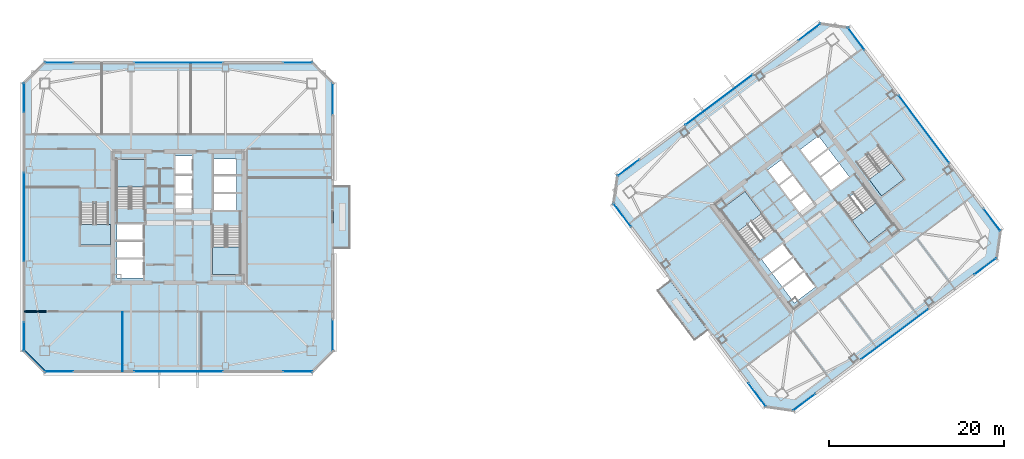
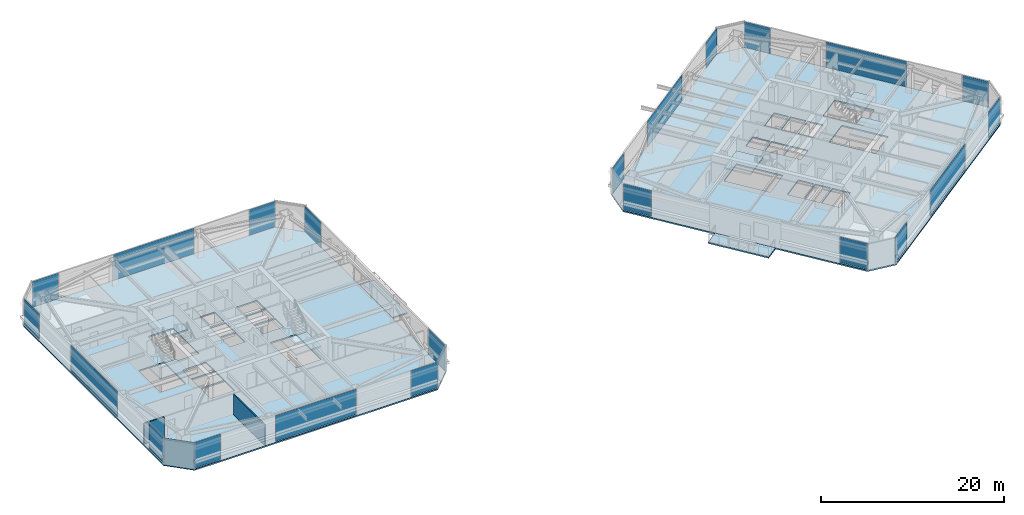
# One storey, part 30 of 41: 22 plates, 10 slabs, 3 walls, 28 elements without a shape of their own.
"""IFC4 building model written with IfcOpenShell, lengths in metres."""

from ifc_helpers import new_model, si_unit, direction, frame, frame_2d, origin, origin_2d, place, context, subcontext, project, spatial, polyline, rectangle, outline, extrude, material, layer, layer_set, type_object, element, aggregate, save


model = new_model("IFC4")

# Units and contexts
model_context = context("Model", 3, precision=1e-05, world=origin(), true_north=direction((0.0, 1.0)))
body_context = subcontext(model_context, "Body", "Model", "MODEL_VIEW")
ifc_project = project(units=[si_unit("LENGTHUNIT", "METRE"), si_unit("AREAUNIT", "SQUARE_METRE"), si_unit("VOLUMEUNIT", "CUBIC_METRE"), si_unit("PLANEANGLEUNIT", "RADIAN"), si_unit("MASSUNIT", "GRAM", prefix="KILO")], contexts=[model_context])

# Site, building, storey
site_placement = place(None, origin())
site = spatial("IfcSite", under=ifc_project, at=site_placement, CompositionType="ELEMENT")
building_placement = place(site_placement, origin())
building = spatial("IfcBuilding", under=site, at=building_placement, Name="Tashvorn Skyway Center", CompositionType="ELEMENT")
storey_placement = place(building_placement, frame((0.0, 0.0, 174.75)))
storey = spatial("IfcBuildingStorey", under=building, at=storey_placement, Name="L47", CompositionType="ELEMENT", Elevation=174.75)

# Curtain wall, plate
ifc_material_1 = material(Name="Thermally broken bronze-anodized aluminium 6063-T6", Category="aluminium")
curtain_wall_type = type_object("IfcCurtainWallType", Name="CW-CW-Z4", PredefinedType="NOTDEFINED", material=ifc_material_1)
curtain_wall_1_placement = place(storey_placement, origin())
curtain_wall_1 = element("IfcCurtainWall", 1, at=curtain_wall_1_placement, inside=storey, type_object=curtain_wall_type, Name="Tower 1 L47 South Unitised Curtain Wall Glazing Group 1", PredefinedType="NOTDEFINED")
ifc_material_2 = material(Name="Low-E solar-control double insulating safety glass", Category="glass")
ifc_layer_1 = layer(ifc_material_2, 0.035888671875)
ifc_layer_set_1 = layer_set([ifc_layer_1], Name="Low-E solar-control double insulating safety glass")
plate_type = type_object("IfcPlateType", Name="CWP-CW-Z4", PredefinedType="CURTAIN_PANEL", material=ifc_layer_set_1)
plate_1_placement = place(storey_placement, frame((55.671142578125, 14.320068359375, 0.06982421875), z_axis=(0.0, 0.0, 1.0), x_axis=(-1.0, 0.0, 0.0)))
plate_1 = element("IfcPlate", 2, at=plate_1_placement, type_object=plate_type, Name="CW-Z4 panel 1.1", PredefinedType="CURTAIN_PANEL", context=body_context, shape_type="SweptSolid", body=[
    extrude(rectangle(XDim=3.27783203125, YDim=0.035888671875, at=origin_2d()), origin(), (0.0, 0.0, 1.0), 3.409912109375),
])
aggregate(curtain_wall_1, [plate_1])

curtain_wall_2_placement = place(storey_placement, origin())
curtain_wall_2 = element("IfcCurtainWall", 3, at=curtain_wall_2_placement, inside=storey, type_object=curtain_wall_type, Name="Tower 1 L47 South Unitised Curtain Wall Glazing Group 2", PredefinedType="NOTDEFINED")
plate_2_placement = place(storey_placement, frame((42.0, 14.320068359375, 0.06982421875), z_axis=(0.0, 0.0, 1.0), x_axis=(-1.0, 0.0, 0.0)))
plate_2 = element("IfcPlate", 4, at=plate_2_placement, type_object=plate_type, Name="CW-Z4 panel 1.1", PredefinedType="CURTAIN_PANEL", context=body_context, shape_type="SweptSolid", body=[
    extrude(rectangle(XDim=10.11328125, YDim=0.035888671875, at=origin_2d()), origin(), (0.0, 0.0, 1.0), 3.409912109375),
])
aggregate(curtain_wall_2, [plate_2])

curtain_wall_3_placement = place(storey_placement, origin())
curtain_wall_3 = element("IfcCurtainWall", 5, at=curtain_wall_3_placement, inside=storey, type_object=curtain_wall_type, Name="Tower 1 L47 South Unitised Curtain Wall Glazing Group 3", PredefinedType="NOTDEFINED")
plate_3_placement = place(storey_placement, frame((28.328857421875, 14.320068359375, 0.06982421875), z_axis=(0.0, 0.0, 1.0), x_axis=(-1.0, 0.0, 0.0)))
plate_3 = element("IfcPlate", 6, at=plate_3_placement, type_object=plate_type, Name="CW-Z4 panel 1.1", PredefinedType="CURTAIN_PANEL", context=body_context, shape_type="SweptSolid", body=[
    extrude(rectangle(XDim=3.27783203125, YDim=0.035888671875, at=origin_2d()), origin(), (0.0, 0.0, 1.0), 3.409912109375),
])
aggregate(curtain_wall_3, [plate_3])

curtain_wall_4_placement = place(storey_placement, origin())
curtain_wall_4 = element("IfcCurtainWall", 7, at=curtain_wall_4_placement, inside=storey, type_object=curtain_wall_type, Name="Tower 1 L47 West Unitised Curtain Wall Glazing Group 1", PredefinedType="NOTDEFINED")
plate_4_placement = place(storey_placement, frame((24.320068359375, 18.328857421875, 0.06982421875), z_axis=(0.0, 0.0, 1.0), x_axis=(0.0, 1.0, 0.0)))
plate_4 = element("IfcPlate", 8, at=plate_4_placement, type_object=plate_type, Name="CW-Z4 panel 1.1", PredefinedType="CURTAIN_PANEL", context=body_context, shape_type="SweptSolid", body=[
    extrude(rectangle(XDim=3.27783203125, YDim=0.035888671875, at=origin_2d()), origin(), (0.0, 0.0, 1.0), 3.409912109375),
])
aggregate(curtain_wall_4, [plate_4])

curtain_wall_5_placement = place(storey_placement, origin())
curtain_wall_5 = element("IfcCurtainWall", 9, at=curtain_wall_5_placement, inside=storey, type_object=curtain_wall_type, Name="Tower 1 L47 West Unitised Curtain Wall Glazing Group 2", PredefinedType="NOTDEFINED")
plate_5_placement = place(storey_placement, frame((24.320068359375, 32.0, 0.06982421875), z_axis=(0.0, 0.0, 1.0), x_axis=(0.0, 1.0, 0.0)))
plate_5 = element("IfcPlate", 10, at=plate_5_placement, type_object=plate_type, Name="CW-Z4 panel 1.1", PredefinedType="CURTAIN_PANEL", context=body_context, shape_type="SweptSolid", body=[
    extrude(rectangle(XDim=10.11328125, YDim=0.035888671875, at=origin_2d()), origin(), (0.0, 0.0, 1.0), 3.409912109375),
])
aggregate(curtain_wall_5, [plate_5])

curtain_wall_6_placement = place(storey_placement, origin())
curtain_wall_6 = element("IfcCurtainWall", 11, at=curtain_wall_6_placement, inside=storey, type_object=curtain_wall_type, Name="Tower 1 L47 West Unitised Curtain Wall Glazing Group 3", PredefinedType="NOTDEFINED")
plate_6_placement = place(storey_placement, frame((24.320068359375, 45.671142578125, 0.06982421875), z_axis=(0.0, 0.0, 1.0), x_axis=(0.0, 1.0, 0.0)))
plate_6 = element("IfcPlate", 12, at=plate_6_placement, type_object=plate_type, Name="CW-Z4 panel 1.1", PredefinedType="CURTAIN_PANEL", context=body_context, shape_type="SweptSolid", body=[
    extrude(rectangle(XDim=3.27783203125, YDim=0.035888671875, at=origin_2d()), origin(), (0.0, 0.0, 1.0), 3.409912109375),
])
aggregate(curtain_wall_6, [plate_6])

curtain_wall_7_placement = place(storey_placement, origin())
curtain_wall_7 = element("IfcCurtainWall", 13, at=curtain_wall_7_placement, inside=storey, type_object=curtain_wall_type, Name="Tower 1 L47 North Unitised Curtain Wall Glazing Group 1", PredefinedType="NOTDEFINED")
plate_7_placement = place(storey_placement, frame((28.328857421875, 49.679931640625, 0.06982421875), z_axis=(0.0, 0.0, 1.0), x_axis=(1.0, 0.0, 0.0)))
plate_7 = element("IfcPlate", 14, at=plate_7_placement, type_object=plate_type, Name="CW-Z4 panel 1.1", PredefinedType="CURTAIN_PANEL", context=body_context, shape_type="SweptSolid", body=[
    extrude(rectangle(XDim=3.27783203125, YDim=0.035888671875, at=origin_2d()), origin(), (0.0, 0.0, 1.0), 3.409912109375),
])
aggregate(curtain_wall_7, [plate_7])

curtain_wall_8_placement = place(storey_placement, origin())
curtain_wall_8 = element("IfcCurtainWall", 15, at=curtain_wall_8_placement, inside=storey, type_object=curtain_wall_type, Name="Tower 1 L47 North Unitised Curtain Wall Glazing Group 2", PredefinedType="NOTDEFINED")
plate_8_placement = place(storey_placement, frame((42.0, 49.679931640625, 0.06982421875), z_axis=(0.0, 0.0, 1.0), x_axis=(1.0, 0.0, 0.0)))
plate_8 = element("IfcPlate", 16, at=plate_8_placement, type_object=plate_type, Name="CW-Z4 panel 1.1", PredefinedType="CURTAIN_PANEL", context=body_context, shape_type="SweptSolid", body=[
    extrude(rectangle(XDim=10.11328125, YDim=0.035888671875, at=origin_2d()), origin(), (0.0, 0.0, 1.0), 3.409912109375),
])
aggregate(curtain_wall_8, [plate_8])

curtain_wall_9_placement = place(storey_placement, origin())
curtain_wall_9 = element("IfcCurtainWall", 17, at=curtain_wall_9_placement, inside=storey, type_object=curtain_wall_type, Name="Tower 1 L47 North Unitised Curtain Wall Glazing Group 3", PredefinedType="NOTDEFINED")
plate_9_placement = place(storey_placement, frame((55.671142578125, 49.679931640625, 0.06982421875), z_axis=(0.0, 0.0, 1.0), x_axis=(1.0, 0.0, 0.0)))
plate_9 = element("IfcPlate", 18, at=plate_9_placement, type_object=plate_type, Name="CW-Z4 panel 1.1", PredefinedType="CURTAIN_PANEL", context=body_context, shape_type="SweptSolid", body=[
    extrude(rectangle(XDim=3.27783203125, YDim=0.035888671875, at=origin_2d()), origin(), (0.0, 0.0, 1.0), 3.409912109375),
])
aggregate(curtain_wall_9, [plate_9])

curtain_wall_10_placement = place(storey_placement, origin())
curtain_wall_10 = element("IfcCurtainWall", 19, at=curtain_wall_10_placement, inside=storey, type_object=curtain_wall_type, Name="Tower 1 L47 East Curtain Wall L Glazing Group 1", PredefinedType="NOTDEFINED")
plate_10_placement = place(storey_placement, frame((59.679931640625, 45.52490234375, 0.06982421875), z_axis=(0.0, 0.0, 1.0), x_axis=(0.0, -1.0, 0.0)))
plate_10 = element("IfcPlate", 20, at=plate_10_placement, type_object=plate_type, Name="CW-Z4 panel 1.1", PredefinedType="CURTAIN_PANEL", context=body_context, shape_type="SweptSolid", body=[
    extrude(rectangle(XDim=3.570068359375, YDim=0.035888671875, at=origin_2d()), origin(), (0.0, 0.0, 1.0), 3.409912109375),
])
aggregate(curtain_wall_10, [plate_10])

curtain_wall_11_placement = place(storey_placement, origin())
curtain_wall_11 = element("IfcCurtainWall", 21, at=curtain_wall_11_placement, inside=storey, type_object=curtain_wall_type, Name="Tower 1 L47 East Curtain Wall R Glazing Group 1", PredefinedType="NOTDEFINED")
plate_11_placement = place(storey_placement, frame((59.679931640625, 18.47509765625, 0.06982421875), z_axis=(0.0, 0.0, 1.0), x_axis=(0.0, -1.0, 0.0)))
plate_11 = element("IfcPlate", 22, at=plate_11_placement, type_object=plate_type, Name="CW-Z4 panel 1.1", PredefinedType="CURTAIN_PANEL", context=body_context, shape_type="SweptSolid", body=[
    extrude(rectangle(XDim=3.570068359375, YDim=0.035888671875, at=origin_2d()), origin(), (0.0, 0.0, 1.0), 3.409912109375),
])
aggregate(curtain_wall_11, [plate_11])

curtain_wall_12_placement = place(storey_placement, origin())
curtain_wall_12 = element("IfcCurtainWall", 23, at=curtain_wall_12_placement, inside=storey, type_object=curtain_wall_type, Name="Tower 2 L47 South Unitised Curtain Wall Glazing Group 1", PredefinedType="NOTDEFINED")
plate_12_placement = place(storey_placement, frame((134.43603515625, 26.35205078125, 0.06982421875), z_axis=(0.0, 0.0, 1.0), x_axis=(-0.799999999998, -0.600000000002, 0.0)))
plate_12 = element("IfcPlate", 24, at=plate_12_placement, type_object=plate_type, Name="CW-Z4 panel 1.1", PredefinedType="CURTAIN_PANEL", context=body_context, shape_type="SweptSolid", body=[
    extrude(rectangle(XDim=3.10009765625, YDim=0.035888671875, at=origin_2d()), origin(), (0.0, 0.0, 1.0), 3.409912109375),
])
aggregate(curtain_wall_12, [plate_12])

curtain_wall_13_placement = place(storey_placement, origin())
curtain_wall_13 = element("IfcCurtainWall", 25, at=curtain_wall_13_placement, inside=storey, type_object=curtain_wall_type, Name="Tower 2 L47 South Unitised Curtain Wall Glazing Group 2", PredefinedType="NOTDEFINED")
plate_13_placement = place(storey_placement, frame((124.068115234375, 18.575927734375, 0.06982421875), z_axis=(0.0, 0.0, 1.0), x_axis=(-0.799999999998, -0.600000000002, 0.0)))
plate_13 = element("IfcPlate", 26, at=plate_13_placement, type_object=plate_type, Name="CW-Z4 panel 1.1", PredefinedType="CURTAIN_PANEL", context=body_context, shape_type="SweptSolid", body=[
    extrude(rectangle(XDim=9.580078125, YDim=0.035888671875, at=origin_2d()), origin(), (0.0, 0.0, 1.0), 3.409912109375),
])
aggregate(curtain_wall_13, [plate_13])

curtain_wall_14_placement = place(storey_placement, origin())
curtain_wall_14 = element("IfcCurtainWall", 27, at=curtain_wall_14_placement, inside=storey, type_object=curtain_wall_type, Name="Tower 2 L47 South Unitised Curtain Wall Glazing Group 3", PredefinedType="NOTDEFINED")
plate_14_placement = place(storey_placement, frame((113.699951171875, 10.800048828125, 0.06982421875), z_axis=(0.0, 0.0, 1.0), x_axis=(-0.799999999998, -0.600000000002, 0.0)))
plate_14 = element("IfcPlate", 28, at=plate_14_placement, type_object=plate_type, Name="CW-Z4 panel 1.1", PredefinedType="CURTAIN_PANEL", context=body_context, shape_type="SweptSolid", body=[
    extrude(rectangle(XDim=3.10009765625, YDim=0.035888671875, at=origin_2d()), origin(), (0.0, 0.0, 1.0), 3.409912109375),
])
aggregate(curtain_wall_14, [plate_14])

curtain_wall_15_placement = place(storey_placement, origin())
curtain_wall_15 = element("IfcCurtainWall", 29, at=curtain_wall_15_placement, inside=storey, type_object=curtain_wall_type, Name="Tower 2 L47 West Curtain Wall L Glazing Group 1", PredefinedType="NOTDEFINED")
plate_15_placement = place(storey_placement, frame((108.291015625, 11.645263671875, 0.06982421875), z_axis=(0.0, 0.0, 1.0), x_axis=(-0.599995353367, 0.800003484954, 0.0)))
plate_15 = element("IfcPlate", 30, at=plate_15_placement, type_object=plate_type, Name="CW-Z4 panel 1.1", PredefinedType="CURTAIN_PANEL", context=body_context, shape_type="SweptSolid", body=[
    extrude(rectangle(XDim=3.303466796875, YDim=0.035888671875, at=origin_2d()), origin(), (0.0, 0.0, 1.0), 3.409912109375),
])
aggregate(curtain_wall_15, [plate_15])

curtain_wall_16_placement = place(storey_placement, origin())
curtain_wall_16 = element("IfcCurtainWall", 31, at=curtain_wall_16_placement, inside=storey, type_object=curtain_wall_type, Name="Tower 2 L47 West Curtain Wall R Glazing Group 1", PredefinedType="NOTDEFINED")
plate_16_placement = place(storey_placement, frame((92.861083984375, 32.21875, 0.06982421875), z_axis=(0.0, 0.0, 1.0), x_axis=(-0.599995353367, 0.800003484954, 0.0)))
plate_16 = element("IfcPlate", 32, at=plate_16_placement, type_object=plate_type, Name="CW-Z4 panel 1.1", PredefinedType="CURTAIN_PANEL", context=body_context, shape_type="SweptSolid", body=[
    extrude(rectangle(XDim=3.303466796875, YDim=0.035888671875, at=origin_2d()), origin(), (0.0, 0.0, 1.0), 3.409912109375),
])
aggregate(curtain_wall_16, [plate_16])

curtain_wall_17_placement = place(storey_placement, origin())
curtain_wall_17 = element("IfcCurtainWall", 33, at=curtain_wall_17_placement, inside=storey, type_object=curtain_wall_type, Name="Tower 2 L47 North Unitised Curtain Wall Glazing Group 1", PredefinedType="NOTDEFINED")
plate_17_placement = place(storey_placement, frame((93.56396484375, 37.64794921875, 0.06982421875), z_axis=(0.0, 0.0, 1.0), x_axis=(0.799999999998, 0.600000000002, 0.0)))
plate_17 = element("IfcPlate", 34, at=plate_17_placement, type_object=plate_type, Name="CW-Z4 panel 1.1", PredefinedType="CURTAIN_PANEL", context=body_context, shape_type="SweptSolid", body=[
    extrude(rectangle(XDim=3.10009765625, YDim=0.035888671875, at=origin_2d()), origin(), (0.0, 0.0, 1.0), 3.409912109375),
])
aggregate(curtain_wall_17, [plate_17])

curtain_wall_18_placement = place(storey_placement, origin())
curtain_wall_18 = element("IfcCurtainWall", 35, at=curtain_wall_18_placement, inside=storey, type_object=curtain_wall_type, Name="Tower 2 L47 North Unitised Curtain Wall Glazing Group 2", PredefinedType="NOTDEFINED")
plate_18_placement = place(storey_placement, frame((103.931884765625, 45.424072265625, 0.06982421875), z_axis=(0.0, 0.0, 1.0), x_axis=(0.799999999998, 0.600000000002, 0.0)))
plate_18 = element("IfcPlate", 36, at=plate_18_placement, type_object=plate_type, Name="CW-Z4 panel 1.1", PredefinedType="CURTAIN_PANEL", context=body_context, shape_type="SweptSolid", body=[
    extrude(rectangle(XDim=9.580078125, YDim=0.035888671875, at=origin_2d()), origin(), (0.0, 0.0, 1.0), 3.409912109375),
])
aggregate(curtain_wall_18, [plate_18])

curtain_wall_19_placement = place(storey_placement, origin())
curtain_wall_19 = element("IfcCurtainWall", 37, at=curtain_wall_19_placement, inside=storey, type_object=curtain_wall_type, Name="Tower 2 L47 North Unitised Curtain Wall Glazing Group 3", PredefinedType="NOTDEFINED")
plate_19_placement = place(storey_placement, frame((114.300048828125, 53.199951171875, 0.06982421875), z_axis=(0.0, 0.0, 1.0), x_axis=(0.799999999998, 0.600000000002, 0.0)))
plate_19 = element("IfcPlate", 38, at=plate_19_placement, type_object=plate_type, Name="CW-Z4 panel 1.1", PredefinedType="CURTAIN_PANEL", context=body_context, shape_type="SweptSolid", body=[
    extrude(rectangle(XDim=3.10009765625, YDim=0.035888671875, at=origin_2d()), origin(), (0.0, 0.0, 1.0), 3.409912109375),
])
aggregate(curtain_wall_19, [plate_19])

curtain_wall_20_placement = place(storey_placement, origin())
curtain_wall_20 = element("IfcCurtainWall", 39, at=curtain_wall_20_placement, inside=storey, type_object=curtain_wall_type, Name="Tower 2 L47 East Unitised Curtain Wall Glazing Group 1", PredefinedType="NOTDEFINED")
plate_20_placement = place(storey_placement, frame((119.64794921875, 52.43603515625, 0.06982421875), z_axis=(0.0, 0.0, 1.0), x_axis=(0.600000000002, -0.799999999998, 0.0)))
plate_20 = element("IfcPlate", 40, at=plate_20_placement, type_object=plate_type, Name="CW-Z4 panel 1.1", PredefinedType="CURTAIN_PANEL", context=body_context, shape_type="SweptSolid", body=[
    extrude(rectangle(XDim=3.10009765625, YDim=0.035888671875, at=origin_2d()), origin(), (0.0, 0.0, 1.0), 3.409912109375),
])
aggregate(curtain_wall_20, [plate_20])

curtain_wall_21_placement = place(storey_placement, origin())
curtain_wall_21 = element("IfcCurtainWall", 41, at=curtain_wall_21_placement, inside=storey, type_object=curtain_wall_type, Name="Tower 2 L47 East Unitised Curtain Wall Glazing Group 2", PredefinedType="NOTDEFINED")
plate_21_placement = place(storey_placement, frame((127.424072265625, 42.068115234375, 0.06982421875), z_axis=(0.0, 0.0, 1.0), x_axis=(0.600000000002, -0.799999999998, 0.0)))
plate_21 = element("IfcPlate", 42, at=plate_21_placement, type_object=plate_type, Name="CW-Z4 panel 1.1", PredefinedType="CURTAIN_PANEL", context=body_context, shape_type="SweptSolid", body=[
    extrude(rectangle(XDim=9.580078125, YDim=0.035888671875, at=origin_2d()), origin(), (0.0, 0.0, 1.0), 3.409912109375),
])
aggregate(curtain_wall_21, [plate_21])

curtain_wall_22_placement = place(storey_placement, origin())
curtain_wall_22 = element("IfcCurtainWall", 43, at=curtain_wall_22_placement, inside=storey, type_object=curtain_wall_type, Name="Tower 2 L47 East Unitised Curtain Wall Glazing Group 3", PredefinedType="NOTDEFINED")
plate_22_placement = place(storey_placement, frame((135.199951171875, 31.699951171875, 0.06982421875), z_axis=(0.0, 0.0, 1.0), x_axis=(0.600000000002, -0.799999999998, 0.0)))
plate_22 = element("IfcPlate", 44, at=plate_22_placement, type_object=plate_type, Name="CW-Z4 panel 1.1", PredefinedType="CURTAIN_PANEL", context=body_context, shape_type="SweptSolid", body=[
    extrude(rectangle(XDim=3.10009765625, YDim=0.035888671875, at=origin_2d()), origin(), (0.0, 0.0, 1.0), 3.409912109375),
])
aggregate(curtain_wall_22, [plate_22])

# Slabs
ifc_material_3 = material(Name="Concrete C40/50", Category="concrete")
ifc_layer_2 = layer(ifc_material_3, 0.179931640625)
ifc_layer_set_2 = layer_set([ifc_layer_2], Name="Concrete C40/50")
slab_type_1 = type_object("IfcSlabType", Name="SLAB-FLR-180", PredefinedType="FLOOR", material=ifc_layer_set_2)
slab_1_placement = place(storey_placement, frame((0.0, 0.0, -0.179931640625)))
element("IfcSlab", 45, at=slab_1_placement, inside=storey, type_object=slab_type_1, Name="Tower 1 L47 Composite Floor Slab", PredefinedType="FLOOR", context=body_context, shape_type="SweptSolid", body=[
    extrude(outline(polyline([(26.699951171875, 14.199951171875), (57.300048828125, 14.199951171875), (59.800048828125, 16.699951171875), (59.800048828125, 47.300048828125), (57.300048828125, 49.800048828125), (26.699951171875, 49.800048828125), (24.199951171875, 47.300048828125), (24.199951171875, 16.699951171875), (26.699951171875, 14.199951171875)]), holes=[polyline([(38.10009765625, 33.080078125), (38.10009765625, 38.60009765625), (34.89990234375, 38.60009765625), (34.89990234375, 33.080078125), (38.10009765625, 33.080078125)]), polyline([(45.89990234375, 30.919921875), (45.89990234375, 25.39990234375), (49.10009765625, 25.39990234375), (49.10009765625, 30.919921875), (45.89990234375, 30.919921875)]), polyline([(30.800048828125, 33.52001953125), (30.800048828125, 28.800048828125), (34.0, 28.800048828125), (34.0, 33.52001953125), (30.800048828125, 33.52001953125)]), polyline([(34.949951171875, 29.35009765625), (37.949951171875, 29.35009765625), (37.949951171875, 31.199951171875), (34.949951171875, 31.199951171875), (34.949951171875, 29.35009765625)]), polyline([(34.949951171875, 27.35009765625), (37.949951171875, 27.35009765625), (37.949951171875, 29.199951171875), (34.949951171875, 29.199951171875), (34.949951171875, 27.35009765625)]), polyline([(34.949951171875, 25.0), (37.949951171875, 25.0), (37.949951171875, 27.14990234375), (34.949951171875, 27.14990234375), (34.949951171875, 25.0)]), polyline([(41.64990234375, 32.449951171875), (43.550048828125, 32.449951171875), (43.550048828125, 34.5), (41.64990234375, 34.5), (41.64990234375, 32.449951171875)]), polyline([(41.64990234375, 34.699951171875), (43.550048828125, 34.699951171875), (43.550048828125, 36.75), (41.64990234375, 36.75), (41.64990234375, 34.699951171875)]), polyline([(41.64990234375, 36.949951171875), (43.550048828125, 36.949951171875), (43.550048828125, 39.0), (41.64990234375, 39.0), (41.64990234375, 36.949951171875)]), polyline([(46.050048828125, 32.800048828125), (48.64990234375, 32.800048828125), (48.64990234375, 34.64990234375), (46.050048828125, 34.64990234375), (46.050048828125, 32.800048828125)]), polyline([(46.050048828125, 34.85009765625), (48.64990234375, 34.85009765625), (48.64990234375, 36.699951171875), (46.050048828125, 36.699951171875), (46.050048828125, 34.85009765625)]), polyline([(46.050048828125, 36.89990234375), (48.64990234375, 36.89990234375), (48.64990234375, 38.64990234375), (46.050048828125, 38.64990234375), (46.050048828125, 36.89990234375)])]), origin(), (0.0, 0.0, 1.0), 0.179931640625),
])
slab_2_placement = place(storey_placement, frame((0.0, 0.0, -0.179931640625)))
element("IfcSlab", 46, at=slab_2_placement, inside=storey, type_object=slab_type_1, Name="Tower 2 L47 Composite Floor Slab", PredefinedType="FLOOR", context=body_context, shape_type="SweptSolid", body=[
    extrude(outline(polyline([(112.5400390625, 9.780029296875), (135.739990234375, 27.179931640625), (136.219970703125, 30.5400390625), (118.820068359375, 53.739990234375), (115.4599609375, 54.219970703125), (92.260009765625, 36.820068359375), (91.780029296875, 33.4599609375), (109.179931640625, 10.260009765625), (112.5400390625, 9.780029296875)]), holes=[polyline([(110.23193359375, 30.52392578125), (106.919921875, 34.93994140625), (104.135986328125, 32.85205078125), (107.447998046875, 28.43603515625), (110.23193359375, 30.52392578125)]), polyline([(117.76806640625, 33.47607421875), (121.080078125, 29.06005859375), (123.864013671875, 31.14794921875), (120.552001953125, 35.56396484375), (117.76806640625, 33.47607421875)]), polyline([(119.7119140625, 38.18408203125), (122.5439453125, 34.407958984375), (125.10400390625, 36.327880859375), (122.27197265625, 40.10400390625), (119.7119140625, 38.18408203125)]), polyline([(109.949951171875, 25.64990234375), (112.35009765625, 27.449951171875), (111.239990234375, 28.929931640625), (108.840087890625, 27.1298828125), (109.949951171875, 25.64990234375)]), polyline([(111.14990234375, 24.050048828125), (113.550048828125, 25.85009765625), (112.43994140625, 27.330078125), (110.0400390625, 25.530029296875), (111.14990234375, 24.050048828125)]), polyline([(112.56005859375, 22.169921875), (114.9599609375, 23.969970703125), (113.669921875, 25.68994140625), (111.27001953125, 23.889892578125), (112.56005859375, 22.169921875)]), polyline([(113.449951171875, 32.14990234375), (114.969970703125, 33.2900390625), (113.739990234375, 34.929931640625), (112.219970703125, 33.7900390625), (113.449951171875, 32.14990234375)]), polyline([(112.10009765625, 33.949951171875), (113.6201171875, 35.090087890625), (112.389892578125, 36.72998046875), (110.8701171875, 35.590087890625), (112.10009765625, 33.949951171875)]), polyline([(110.75, 35.75), (112.27001953125, 36.889892578125), (111.0400390625, 38.530029296875), (109.52001953125, 37.389892578125), (110.75, 35.75)]), polyline([(116.760009765625, 35.070068359375), (118.840087890625, 36.6298828125), (117.72998046875, 38.110107421875), (115.64990234375, 36.550048828125), (116.760009765625, 35.070068359375)]), polyline([(115.530029296875, 36.7099609375), (117.610107421875, 38.27001953125), (116.5, 39.75), (114.419921875, 38.18994140625), (115.530029296875, 36.7099609375)]), polyline([(114.300048828125, 38.35009765625), (116.3798828125, 39.909912109375), (115.330078125, 41.31005859375), (113.25, 39.75), (114.300048828125, 38.35009765625)])]), origin(), (0.0, 0.0, 1.0), 0.179931640625),
])

# Stair, slab
stair_type = type_object("IfcStairType", Name="STAIR-CORE-1500", PredefinedType="HALF_TURN_STAIR", material=ifc_material_3)
stair_1_placement = place(storey_placement, origin())
stair_1 = element("IfcStair", 47, at=stair_1_placement, inside=storey, type_object=stair_type, Name="L47 Tower 1 Exit Stair 1", PredefinedType="HALF_TURN_STAIR")
ifc_layer_3 = layer(ifc_material_3, 0.199951171875)
ifc_layer_set_3 = layer_set([ifc_layer_3], Name="Concrete C40/50")
slab_type_2 = type_object("IfcSlabType", Name="SLAB-LAND-200", PredefinedType="LANDING", material=ifc_layer_set_3)
slab_3_placement = place(storey_placement, frame((0.0, 0.0, 1.574951171875)))
slab_3 = element("IfcSlab", 48, at=slab_3_placement, type_object=slab_type_2, Name="ST-T1-1 landing 1", PredefinedType="LANDING", context=body_context, shape_type="SweptSolid", body=[
    extrude(outline(polyline([(38.10009765625, 35.43994140625), (38.10009765625, 38.60009765625), (34.89990234375, 38.60009765625), (34.89990234375, 35.43994140625), (38.10009765625, 35.43994140625)])), origin(), (0.0, 0.0, 1.0), 0.199951171875),
])
aggregate(stair_1, [slab_3])

stair_2_placement = place(storey_placement, origin())
stair_2 = element("IfcStair", 49, at=stair_2_placement, inside=storey, type_object=stair_type, Name="L47 Tower 1 Exit Stair 2", PredefinedType="HALF_TURN_STAIR")
slab_4_placement = place(storey_placement, frame((0.0, 0.0, 1.574951171875)))
slab_4 = element("IfcSlab", 50, at=slab_4_placement, type_object=slab_type_2, Name="ST-T1-2 landing 1", PredefinedType="LANDING", context=body_context, shape_type="SweptSolid", body=[
    extrude(outline(polyline([(45.89990234375, 28.56005859375), (45.89990234375, 25.39990234375), (49.10009765625, 25.39990234375), (49.10009765625, 28.56005859375), (45.89990234375, 28.56005859375)])), origin(), (0.0, 0.0, 1.0), 0.199951171875),
])
aggregate(stair_2, [slab_4])

stair_3_placement = place(storey_placement, origin())
stair_3 = element("IfcStair", 51, at=stair_3_placement, inside=storey, type_object=stair_type, Name="L47 Tower 2 Exit Stair 1", PredefinedType="HALF_TURN_STAIR")
slab_5_placement = place(storey_placement, frame((0.0, 0.0, 1.574951171875)))
slab_5 = element("IfcSlab", 52, at=slab_5_placement, type_object=slab_type_2, Name="ST-T2-1 landing 1", PredefinedType="LANDING", context=body_context, shape_type="SweptSolid", body=[
    extrude(outline(polyline([(108.82080078125, 32.405517578125), (106.919921875, 34.93994140625), (104.135986328125, 32.85205078125), (106.036865234375, 30.317626953125), (108.82080078125, 32.405517578125)])), origin(), (0.0, 0.0, 1.0), 0.199951171875),
])
aggregate(stair_3, [slab_5])

stair_4_placement = place(storey_placement, origin())
stair_4 = element("IfcStair", 53, at=stair_4_placement, inside=storey, type_object=stair_type, Name="L47 Tower 2 Exit Stair 2", PredefinedType="HALF_TURN_STAIR")
slab_6_placement = place(storey_placement, frame((0.0, 0.0, 1.574951171875)))
slab_6 = element("IfcSlab", 54, at=slab_6_placement, type_object=slab_type_2, Name="ST-T2-2 landing 1", PredefinedType="LANDING", context=body_context, shape_type="SweptSolid", body=[
    extrude(outline(polyline([(119.17919921875, 31.594482421875), (121.080078125, 29.06005859375), (123.864013671875, 31.14794921875), (121.963134765625, 33.682373046875), (119.17919921875, 31.594482421875)])), origin(), (0.0, 0.0, 1.0), 0.199951171875),
])
aggregate(stair_4, [slab_6])

stair_5_placement = place(storey_placement, origin())
stair_5 = element("IfcStair", 55, at=stair_5_placement, inside=storey, type_object=stair_type, Name="L47 Tower 1 Exit Stair 3", PredefinedType="HALF_TURN_STAIR")
slab_7_placement = place(storey_placement, frame((0.0, 0.0, 1.574951171875)))
slab_7 = element("IfcSlab", 56, at=slab_7_placement, type_object=slab_type_2, Name="ST-T1-3 landing 1", PredefinedType="LANDING", context=body_context, shape_type="SweptSolid", body=[
    extrude(outline(polyline([(30.800048828125, 31.159912109375), (30.800048828125, 28.800048828125), (34.199951171875, 28.800048828125), (34.199951171875, 31.159912109375), (30.800048828125, 31.159912109375)])), origin(), (0.0, 0.0, 1.0), 0.199951171875),
])
aggregate(stair_5, [slab_7])

stair_6_placement = place(storey_placement, origin())
stair_6 = element("IfcStair", 57, at=stair_6_placement, inside=storey, type_object=stair_type, Name="L47 Tower 2 Exit Stair 3", PredefinedType="HALF_TURN_STAIR")
slab_8_placement = place(storey_placement, frame((0.0, 0.0, 1.574951171875)))
slab_8 = element("IfcSlab", 58, at=slab_8_placement, type_object=slab_type_2, Name="ST-T2-3 landing 1", PredefinedType="LANDING", context=body_context, shape_type="SweptSolid", body=[
    extrude(outline(polyline([(121.123291015625, 36.302490234375), (122.5439453125, 34.407958984375), (125.10400390625, 36.327880859375), (123.68310546875, 38.222412109375), (121.123291015625, 36.302490234375)])), origin(), (0.0, 0.0, 1.0), 0.199951171875),
])
aggregate(stair_6, [slab_8])

# Slabs
ifc_layer_4 = layer(ifc_material_3, 0.179931640625)
ifc_layer_set_4 = layer_set([ifc_layer_4], Name="Concrete C40/50")
slab_type_3 = type_object("IfcSlabType", Name="SLAB-TERR-200", PredefinedType="FLOOR", material=ifc_layer_set_4)
slab_9_placement = place(storey_placement, frame((0.0, 0.0, -0.179931640625)))
element("IfcSlab", 59, at=slab_9_placement, inside=storey, type_object=slab_type_3, Name="Tower 1 L47 Spiral Planted Terrace Slab", PredefinedType="FLOOR", context=body_context, shape_type="SweptSolid", body=[
    extrude(outline(polyline([(59.7900390625, 28.39990234375), (61.699951171875, 28.39990234375), (61.699951171875, 35.60009765625), (59.7900390625, 35.60009765625), (59.7900390625, 28.39990234375)])), origin(), (0.0, 0.0, 1.0), 0.179931640625),
])
slab_10_placement = place(storey_placement, frame((0.0, 0.0, -0.179931640625)))
element("IfcSlab", 60, at=slab_10_placement, inside=storey, type_object=slab_type_3, Name="Tower 2 L47 Spiral Planted Terrace Slab", PredefinedType="FLOOR", context=body_context, shape_type="SweptSolid", body=[
    extrude(outline(polyline([(101.1201171875, 17.840087890625), (102.64794921875, 18.986083984375), (98.327880859375, 24.74609375), (96.800048828125, 23.60009765625), (101.1201171875, 17.840087890625)])), origin(), (0.0, 0.0, 1.0), 0.179931640625),
])

# Walls
ifc_material_4 = material(Name="Precast concrete C40/50", Category="concrete")
ifc_layer_5 = layer(ifc_material_4, 0.280029296875)
ifc_layer_set_5 = layer_set([ifc_layer_5], Name="Precast concrete C40/50")
wall_type_1 = type_object("IfcWallType", Name="WALL-EXT-280", PredefinedType="SOLIDWALL", material=ifc_layer_set_5)
wall_1_placement = place(storey_placement, frame((26.699951171875, 14.300048828125, 0.0), z_axis=(0.0, 0.0, 1.0), x_axis=(-0.707106781187, 0.707106781187, 0.0)))
element("IfcWall", 61, at=wall_1_placement, inside=storey, type_object=wall_type_1, Name="Tower 1 L47 SW Precast Chamfer Wall", PredefinedType="SOLIDWALL", context=body_context, shape_type="SweptSolid", body=[
    extrude(rectangle(XDim=3.39404296875, YDim=0.280029296875, at=frame_2d((1.697021484375, 0.0))), origin(), (0.0, 0.0, 1.0), 3.3701171875),
])
ifc_material_5 = material(Name="Gypsum board on cold-formed steel stud framing", Category="steel")
ifc_layer_6 = layer(ifc_material_5, 0.110107421875)
ifc_layer_set_6 = layer_set([ifc_layer_6], Name="Gypsum board on cold-formed steel stud framing")
wall_type_2 = type_object("IfcWallType", Name="WALL-PART-110", PredefinedType="PARTITIONING", material=ifc_layer_set_6)
wall_2_placement = place(storey_placement, frame((35.60009765625, 14.320068359375, 0.0), z_axis=(0.0, 0.0, 1.0), x_axis=(0.0, 1.0, 0.0)))
element("IfcWall", 62, at=wall_2_placement, inside=storey, type_object=wall_type_2, Name="Tower 1 L47 South Suite Partition 1", PredefinedType="PARTITIONING", context=body_context, shape_type="SweptSolid", body=[
    extrude(rectangle(XDim=6.780029296875, YDim=0.110107421875, at=frame_2d((3.39013671875, 0.0))), origin(), (0.0, 0.0, 1.0), 2.722900390625),
])
ifc_layer_7 = layer(ifc_material_5, 0.135009765625)
ifc_layer_set_7 = layer_set([ifc_layer_7], Name="Gypsum board on cold-formed steel stud framing")
wall_type_3 = type_object("IfcWallType", Name="WALL-PART-135", PredefinedType="PARTITIONING", material=ifc_layer_set_7)
wall_3_placement = place(storey_placement, frame((24.320068359375, 21.179931640625, 0.0), z_axis=(0.0, 0.0, 1.0), x_axis=(1.0, 0.0, 0.0)))
element("IfcWall", 63, at=wall_3_placement, inside=storey, type_object=wall_type_3, Name="Tower 1 L47 South-West Suite North Wall", PredefinedType="PARTITIONING", context=body_context, shape_type="SweptSolid", body=[
    extrude(rectangle(XDim=2.530029296875, YDim=0.135009765625, at=frame_2d((1.26513671875, 0.0))), origin(), (0.0, 0.0, 1.0), 2.722900390625),
])

save(model, "model.ifc")
